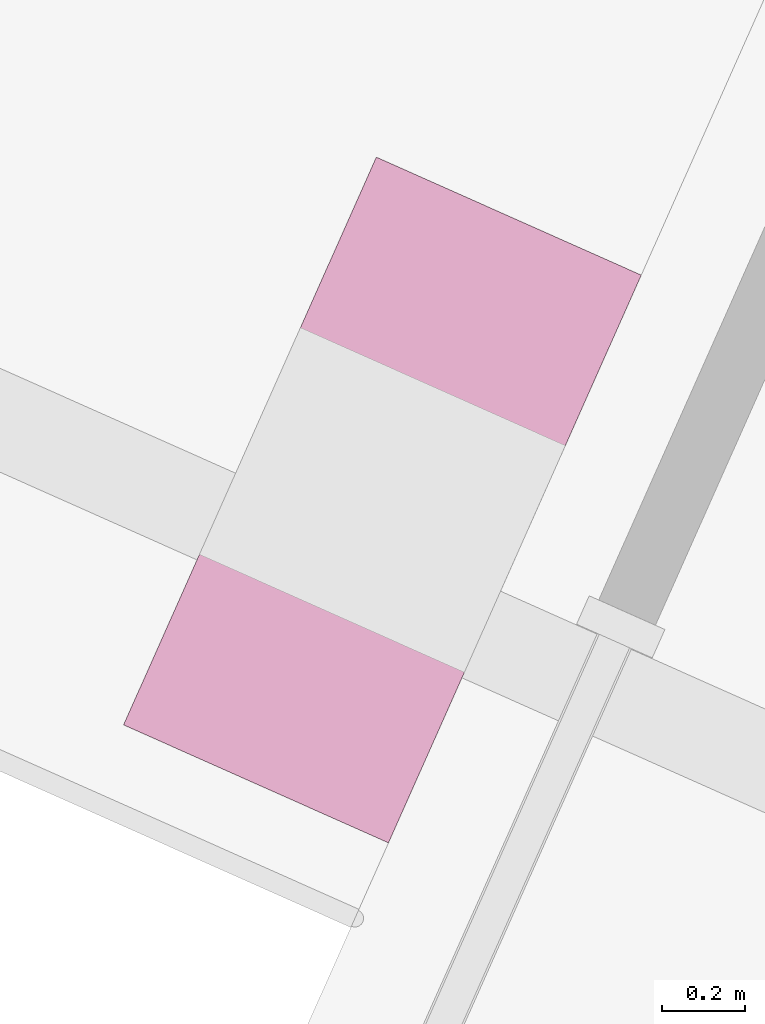
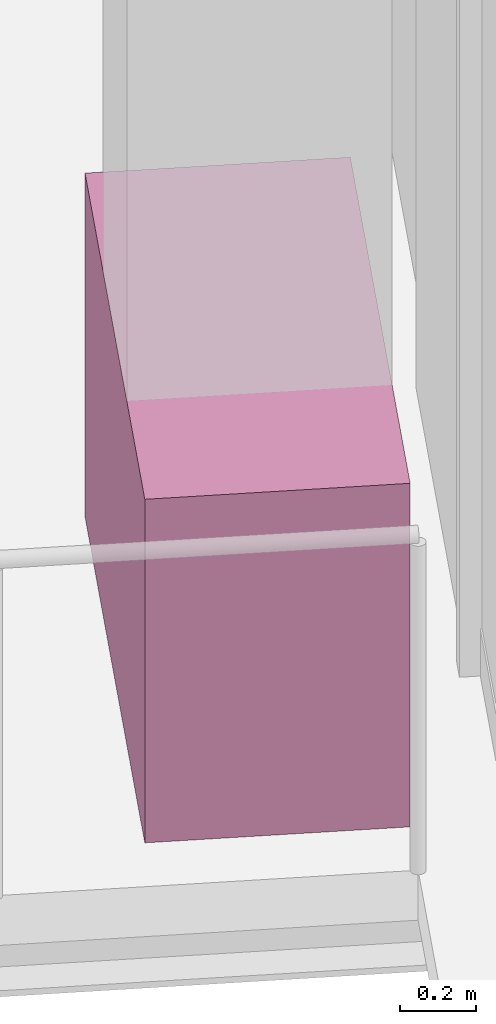
# One storey, part 20 of 21: 1 furniture element.
"""IFC4 building model written with IfcOpenShell, lengths in metres."""

from ifc_helpers import new_model, si_unit, direction, frame, origin, origin_2d, place, context, subcontext, project, spatial, rectangle, extrude, source, transform, mapped, material, type_object, element, save


model = new_model("IFC4")

# Units and contexts
model_context = context("Model", 3, precision=1e-05, world=origin(), true_north=direction((0.0, 1.0)))
body_context = subcontext(model_context, "Body", "Model", "MODEL_VIEW")
ifc_project = project(units=[si_unit("LENGTHUNIT", "METRE"), si_unit("AREAUNIT", "SQUARE_METRE"), si_unit("VOLUMEUNIT", "CUBIC_METRE"), si_unit("PLANEANGLEUNIT", "RADIAN"), si_unit("MASSUNIT", "GRAM", prefix="KILO")], contexts=[model_context])

# Site, building, storey
site_placement = place(None, origin())
site = spatial("IfcSite", under=ifc_project, at=site_placement, CompositionType="ELEMENT")
building_placement = place(site_placement, origin())
building = spatial("IfcBuilding", under=site, at=building_placement, Name="Triune Harvest Tower", CompositionType="ELEMENT")
storey_placement = place(building_placement, frame((0.0, 0.0, 248.5)))
storey = spatial("IfcBuildingStorey", under=building, at=storey_placement, Name="L65", CompositionType="ELEMENT", Elevation=248.5)

# Furniture
ifc_material = material(Name="Concrete 40 MPa", Category="concrete")
furniture_type = type_object("IfcFurnitureType", Name="PB-1 structural planter", AssemblyPlace="SITE", PredefinedType="USERDEFINED", material=ifc_material)
shared_shape = source(origin(), body_context, "Body", "SweptSolid", [
    extrude(rectangle(XDim=1.5, YDim=0.699951171875, at=origin_2d()), origin(), (0.0, 0.0, 1.0), 1.10009765625),
])
furniture_placement = place(storey_placement, frame((-16.231201171875, 14.32275390625, 0.0), z_axis=(0.0, 0.0, 1.0), x_axis=(-0.406737912248, -0.91354489257, 0.0)))
element("IfcFurniture", 1, at=furniture_placement, inside=storey, type_object=furniture_type, Name="Planter B6-F3 L65.4b", ObjectType="PLANTER", PredefinedType="USERDEFINED", context=body_context, shape_type="MappedRepresentation", body=[
    mapped(shared_shape, transform((0.0, 0.0, 0.0), scale=1.0)),
])

save(model, "model.ifc")
